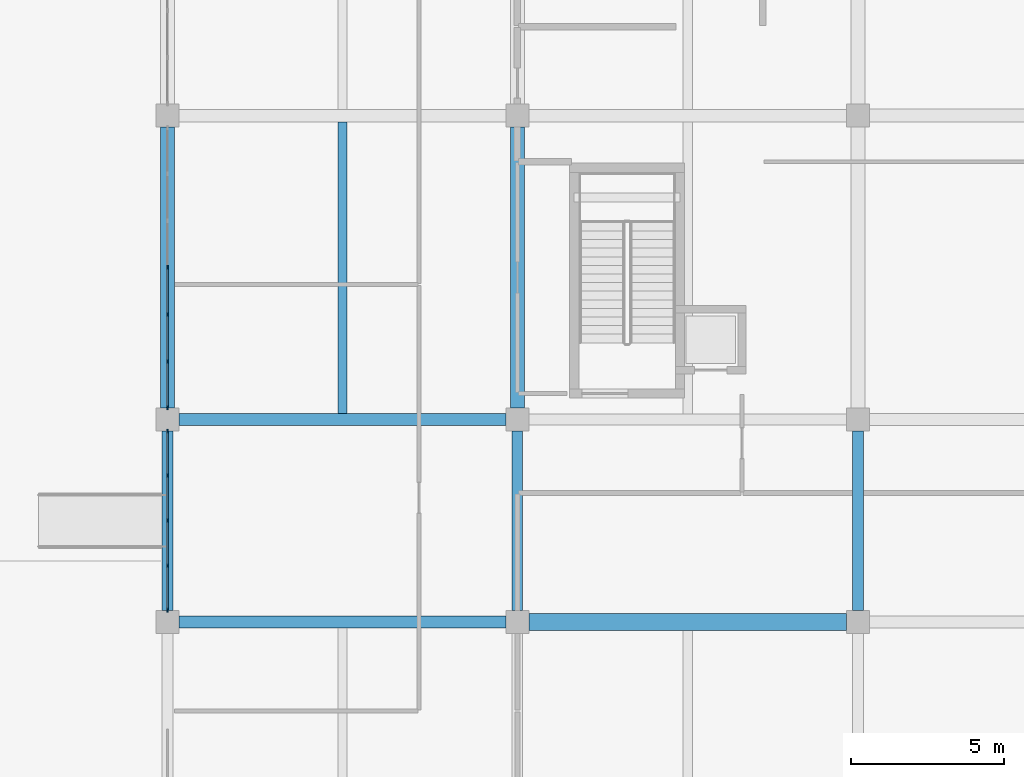
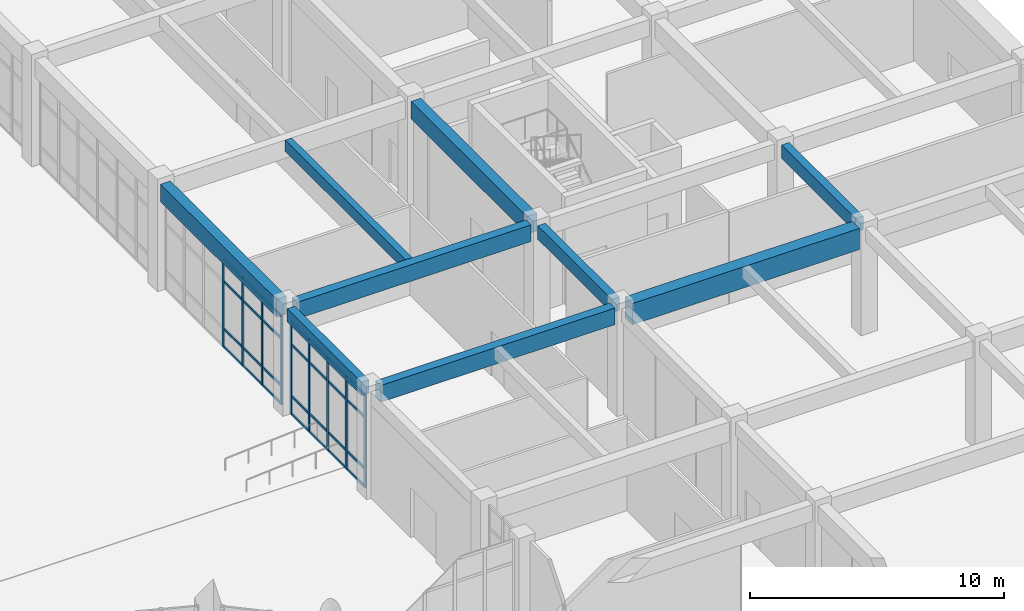
# One storey, part 28 of 70: 37 members, 9 beams, 2 elements without a shape of their own.
"""IFC4 building model written with IfcOpenShell, lengths in metres."""

from ifc_helpers import new_model, si_unit, direction, frame, origin, origin_2d, place, context, subcontext, project, spatial, rectangle, extrude, material, layer, layer_set, material_profile, profile_set, type_object, element, aggregate, save


model = new_model("IFC4")

# Units and contexts
model_context = context("Model", 3, precision=1e-05, world=origin(), true_north=direction((0.0, 1.0)))
body_context = subcontext(model_context, "Body", "Model", "MODEL_VIEW")
ifc_project = project(units=[si_unit("LENGTHUNIT", "METRE"), si_unit("AREAUNIT", "SQUARE_METRE"), si_unit("VOLUMEUNIT", "CUBIC_METRE"), si_unit("PLANEANGLEUNIT", "RADIAN"), si_unit("MASSUNIT", "GRAM", prefix="KILO")], contexts=[model_context])

# Site, building, storey
site_placement = place(None, origin())
site = spatial("IfcSite", under=ifc_project, at=site_placement, CompositionType="ELEMENT")
building_placement = place(site_placement, origin())
building = spatial("IfcBuilding", under=site, at=building_placement, Name="Miralva Faculty of Natural Sciences", CompositionType="ELEMENT")
storey_placement = place(building_placement, origin())
storey = spatial("IfcBuildingStorey", under=building, at=storey_placement, Name="L00", CompositionType="ELEMENT", Elevation=0.0)

# Beams
ifc_material_1 = material(Name="Concrete C40/50", Category="concrete")
ifc_material_profile_1 = material_profile(ifc_material_1, rectangle(XDim=0.449951171875, YDim=0.85009765625, at=origin_2d()), Name="RC 450x850")
ifc_profile_set_1 = profile_set([ifc_material_profile_1], Name="Concrete C40/50")
beam_type_1 = type_object("IfcBeamType", Name="BM-B01", PredefinedType="BEAM", material=ifc_profile_set_1)
for number, where, z_axis, x_axis, name in (
    (1, (133.800048828125, 45.97509765625, 4.695068359375), (0.0, 1.0, 0.0), (-1.0, 0.0, 0.0), "Girder NS L00-179"),
    (2, (145.199951171875, 45.97509765625, 4.695068359375), (0.0, 1.0, 0.0), (-1.0, 0.0, 0.0), "Girder NS L00-191"),
):
    element("IfcBeam", number, at=place(storey_placement, frame(where, z_axis=z_axis, x_axis=x_axis)), inside=storey, type_object=beam_type_1, Name=name, PredefinedType="BEAM", context=body_context, shape_type="SweptSolid", body=[
        extrude(rectangle(XDim=0.449951171875, YDim=0.85009765625, at=origin_2d()), origin(), (0.0, 0.0, 1.0), 9.14990234375),
    ])
ifc_material_profile_2 = material_profile(ifc_material_1, rectangle(XDim=0.39990234375, YDim=0.800048828125, at=origin_2d()), Name="RC 400x800")
ifc_profile_set_2 = profile_set([ifc_material_profile_2], Name="Concrete C40/50")
beam_type_2 = type_object("IfcBeamType", Name="BM-B02", PredefinedType="BEAM", material=ifc_profile_set_2)
for number, where, z_axis, x_axis, name in (
    (3, (134.175048828125, 39.0, 4.719970703125), (1.0, 0.0, 0.0), (0.0, 1.0, 0.0), "Girder EW L00-42"),
    (4, (134.175048828125, 45.60009765625, 4.719970703125), (1.0, 0.0, 0.0), (0.0, 1.0, 0.0), "Girder EW L00-48"),
):
    element("IfcBeam", number, at=place(storey_placement, frame(where, z_axis=z_axis, x_axis=x_axis)), inside=storey, type_object=beam_type_2, Name=name, PredefinedType="BEAM", context=body_context, shape_type="SweptSolid", body=[
        extrude(rectangle(XDim=0.39990234375, YDim=0.800048828125, at=origin_2d()), origin(), (0.0, 0.0, 1.0), 10.64990234375),
    ])
ifc_material_profile_3 = material_profile(ifc_material_1, rectangle(XDim=0.35009765625, YDim=0.64990234375, at=origin_2d()), Name="RC 350x650")
ifc_profile_set_3 = profile_set([ifc_material_profile_3], Name="Concrete C40/50")
beam_type_3 = type_object("IfcBeamType", Name="BM-B05", PredefinedType="BEAM", material=ifc_profile_set_3)
for number, where, z_axis, x_axis, name in (
    (5, (133.800048828125, 39.375, 4.794921875), (0.0, 1.0, 0.0), (-1.0, 0.0, 0.0), "Girder NS L00-178"),
    (6, (145.199951171875, 39.375, 4.794921875), (0.0, 1.0, 0.0), (-1.0, 0.0, 0.0), "Girder NS L00-190"),
    (7, (156.300048828125, 39.375, 4.794921875), (0.0, 1.0, 0.0), (-1.0, 0.0, 0.0), "Girder NS L00-202"),
):
    element("IfcBeam", number, at=place(storey_placement, frame(where, z_axis=z_axis, x_axis=x_axis)), inside=storey, type_object=beam_type_3, Name=name, PredefinedType="BEAM", context=body_context, shape_type="SweptSolid", body=[
        extrude(rectangle(XDim=0.35009765625, YDim=0.64990234375, at=origin_2d()), origin(), (0.0, 0.0, 1.0), 5.85009765625),
    ])
ifc_material_profile_4 = material_profile(ifc_material_1, rectangle(XDim=0.56005859375, YDim=1.02001953125, at=origin_2d()), Name="RC 560x1020")
ifc_profile_set_4 = profile_set([ifc_material_profile_4], Name="Concrete C40/50")
beam_type_4 = type_object("IfcBeamType", Name="BM-BG22", PredefinedType="BEAM", material=ifc_profile_set_4)
beam_1_placement = place(storey_placement, frame((145.574951171875, 39.0, 4.610107421875), z_axis=(1.0, 0.0, 0.0), x_axis=(0.0, 1.0, 0.0)))
element("IfcBeam", 8, at=beam_1_placement, inside=storey, type_object=beam_type_4, Name="Girder EW L00-43", PredefinedType="BEAM", context=body_context, shape_type="SweptSolid", body=[
    extrude(rectangle(XDim=0.56005859375, YDim=1.02001953125, at=origin_2d()), origin(), (0.0, 0.0, 1.0), 10.35009765625),
])
ifc_material_profile_5 = material_profile(ifc_material_1, rectangle(XDim=0.300048828125, YDim=0.550048828125, at=origin_2d()), Name="RC 300x550")
ifc_profile_set_5 = profile_set([ifc_material_profile_5], Name="Concrete C40/50")
beam_type_5 = type_object("IfcBeamType", Name="BM-J02", PredefinedType="JOIST", material=ifc_profile_set_5)
beam_2_placement = place(storey_placement, frame((139.5, 45.800048828125, 4.844970703125), z_axis=(0.0, 1.0, 0.0), x_axis=(-1.0, 0.0, 0.0)))
element("IfcBeam", 9, at=beam_2_placement, inside=storey, type_object=beam_type_5, Name="Floor joist L00-14", PredefinedType="JOIST", context=body_context, shape_type="SweptSolid", body=[
    extrude(rectangle(XDim=0.300048828125, YDim=0.550048828125, at=origin_2d()), origin(), (0.0, 0.0, 1.0), 9.5),
])

# Curtain wall, members
ifc_material_2 = material(Name="Laminated solar-control glass", Category="glass")
ifc_layer = layer(ifc_material_2, 0.179931640625, Name="CW-COM-L00")
ifc_layer_set = layer_set([ifc_layer], Name="Laminated solar-control glass")
curtain_wall_type = type_object("IfcCurtainWallType", Name="CW-COM-L00", PredefinedType="USERDEFINED", material=ifc_layer_set)
curtain_wall_1_placement = place(storey_placement, origin())
curtain_wall_1 = element("IfcCurtainWall", 10, at=curtain_wall_1_placement, inside=storey, type_object=curtain_wall_type, Name="Curtain wall CW-09 L00-257", ObjectType="UNITISED CURTAIN WALL", PredefinedType="USERDEFINED")
ifc_material_3 = material(Name="Anodised aluminium", Category="aluminium")
ifc_material_profile_6 = material_profile(ifc_material_3, rectangle(XDim=0.06005859375, YDim=0.139892578125, at=origin_2d()), Name="MULLION 60x140")
ifc_profile_set_6 = profile_set([ifc_material_profile_6], Name="Anodised aluminium")
member_type_1 = type_object("IfcMemberType", Name="CW-M03", PredefinedType="MULLION", material=ifc_profile_set_6)
member_1_placement = place(storey_placement, frame((133.800048828125, 39.39501953125, 0.0), z_axis=(0.0, 0.0, 1.0), x_axis=(-1.0, 0.0, 0.0)))
member_1 = element("IfcMember", 11, at=member_1_placement, type_object=member_type_1, Name="CW-09 mullion 1", PredefinedType="MULLION", context=body_context, shape_type="SweptSolid", body=[
    extrude(rectangle(XDim=0.06005859375, YDim=0.139892578125, at=origin_2d()), origin(), (0.0, 0.0, 1.0), 4.465087890625),
])
member_2_placement = place(storey_placement, frame((133.800048828125, 40.8349609375, 0.0), z_axis=(0.0, 0.0, 1.0), x_axis=(-1.0, 0.0, 0.0)))
member_2 = element("IfcMember", 12, at=member_2_placement, type_object=member_type_1, Name="CW-09 mullion 2", PredefinedType="MULLION", context=body_context, shape_type="SweptSolid", body=[
    extrude(rectangle(XDim=0.06005859375, YDim=0.139892578125, at=origin_2d()), origin(), (0.0, 0.0, 1.0), 4.465087890625),
])
member_3_placement = place(storey_placement, frame((133.800048828125, 42.304931640625, 0.0), z_axis=(0.0, 0.0, 1.0), x_axis=(-1.0, 0.0, 0.0)))
member_3 = element("IfcMember", 13, at=member_3_placement, type_object=member_type_1, Name="CW-09 mullion 3", PredefinedType="MULLION", context=body_context, shape_type="SweptSolid", body=[
    extrude(rectangle(XDim=0.06005859375, YDim=0.139892578125, at=origin_2d()), origin(), (0.0, 0.0, 1.0), 4.465087890625),
])
member_4_placement = place(storey_placement, frame((133.800048828125, 43.77490234375, 0.0), z_axis=(0.0, 0.0, 1.0), x_axis=(-1.0, 0.0, 0.0)))
member_4 = element("IfcMember", 14, at=member_4_placement, type_object=member_type_1, Name="CW-09 mullion 4", PredefinedType="MULLION", context=body_context, shape_type="SweptSolid", body=[
    extrude(rectangle(XDim=0.06005859375, YDim=0.139892578125, at=origin_2d()), origin(), (0.0, 0.0, 1.0), 4.465087890625),
])
member_5_placement = place(storey_placement, frame((133.800048828125, 45.215087890625, 0.0), z_axis=(0.0, 0.0, 1.0), x_axis=(-1.0, 0.0, 0.0)))
member_5 = element("IfcMember", 15, at=member_5_placement, type_object=member_type_1, Name="CW-09 mullion 5", PredefinedType="MULLION", context=body_context, shape_type="SweptSolid", body=[
    extrude(rectangle(XDim=0.06005859375, YDim=0.139892578125, at=origin_2d()), origin(), (0.0, 0.0, 1.0), 4.465087890625),
])

curtain_wall_2_placement = place(storey_placement, origin())
curtain_wall_2 = element("IfcCurtainWall", 16, at=curtain_wall_2_placement, inside=storey, type_object=curtain_wall_type, Name="Curtain wall CW-09 L00-258", ObjectType="UNITISED CURTAIN WALL", PredefinedType="USERDEFINED")
member_6_placement = place(storey_placement, frame((133.800048828125, 45.9951171875, 0.0), z_axis=(0.0, 0.0, 1.0), x_axis=(-1.0, 0.0, 0.0)))
member_6 = element("IfcMember", 17, at=member_6_placement, type_object=member_type_1, Name="CW-09 mullion 1", PredefinedType="MULLION", context=body_context, shape_type="SweptSolid", body=[
    extrude(rectangle(XDim=0.06005859375, YDim=0.139892578125, at=origin_2d()), origin(), (0.0, 0.0, 1.0), 4.264892578125),
])
member_7_placement = place(storey_placement, frame((133.800048828125, 47.493408203125, 0.0), z_axis=(0.0, 0.0, 1.0), x_axis=(-1.0, 0.0, 0.0)))
member_7 = element("IfcMember", 18, at=member_7_placement, type_object=member_type_1, Name="CW-09 mullion 2", PredefinedType="MULLION", context=body_context, shape_type="SweptSolid", body=[
    extrude(rectangle(XDim=0.06005859375, YDim=0.139892578125, at=origin_2d()), origin(), (0.0, 0.0, 1.0), 4.264892578125),
])
member_8_placement = place(storey_placement, frame((133.800048828125, 49.021728515625, 0.0), z_axis=(0.0, 0.0, 1.0), x_axis=(-1.0, 0.0, 0.0)))
member_8 = element("IfcMember", 19, at=member_8_placement, type_object=member_type_1, Name="CW-09 mullion 3", PredefinedType="MULLION", context=body_context, shape_type="SweptSolid", body=[
    extrude(rectangle(XDim=0.06005859375, YDim=0.139892578125, at=origin_2d()), origin(), (0.0, 0.0, 1.0), 4.264892578125),
])
member_9_placement = place(storey_placement, frame((133.800048828125, 50.550048828125, 0.0), z_axis=(0.0, 0.0, 1.0), x_axis=(-1.0, 0.0, 0.0)))
member_9 = element("IfcMember", 20, at=member_9_placement, type_object=member_type_1, Name="CW-09 mullion 4", PredefinedType="MULLION", context=body_context, shape_type="SweptSolid", body=[
    extrude(rectangle(XDim=0.06005859375, YDim=0.139892578125, at=origin_2d()), origin(), (0.0, 0.0, 1.0), 4.264892578125),
])

# Member
ifc_material_profile_7 = material_profile(ifc_material_3, rectangle(XDim=0.06005859375, YDim=0.1201171875, at=origin_2d()), Name="TRANSOM 60x120")
ifc_profile_set_7 = profile_set([ifc_material_profile_7], Name="Anodised aluminium")
member_type_2 = type_object("IfcMemberType", Name="CW-T02", PredefinedType="USERDEFINED", material=ifc_profile_set_7)
member_10_placement = place(storey_placement, frame((133.800048828125, 39.425048828125, 0.030029296875), z_axis=(0.0, 1.0, 0.0), x_axis=(-1.0, 0.0, 0.0)))
member_10 = element("IfcMember", 21, at=member_10_placement, type_object=member_type_2, Name="CW-09 transom 1.1", ObjectType="TRANSOM", PredefinedType="USERDEFINED", context=body_context, shape_type="SweptSolid", body=[
    extrude(rectangle(XDim=0.06005859375, YDim=0.1201171875, at=origin_2d()), origin(), (0.0, 0.0, 1.0), 1.3798828125),
])

member_11_placement = place(storey_placement, frame((133.800048828125, 39.425048828125, 0.89990234375), z_axis=(0.0, 1.0, 0.0), x_axis=(-1.0, 0.0, 0.0)))
member_11 = element("IfcMember", 22, at=member_11_placement, type_object=member_type_2, Name="CW-09 transom 1.2", ObjectType="TRANSOM", PredefinedType="USERDEFINED", context=body_context, shape_type="SweptSolid", body=[
    extrude(rectangle(XDim=0.06005859375, YDim=0.1201171875, at=origin_2d()), origin(), (0.0, 0.0, 1.0), 1.3798828125),
])

member_12_placement = place(storey_placement, frame((133.800048828125, 39.425048828125, 3.364990234375), z_axis=(0.0, 1.0, 0.0), x_axis=(-1.0, 0.0, 0.0)))
member_12 = element("IfcMember", 23, at=member_12_placement, type_object=member_type_2, Name="CW-09 transom 1.3", ObjectType="TRANSOM", PredefinedType="USERDEFINED", context=body_context, shape_type="SweptSolid", body=[
    extrude(rectangle(XDim=0.06005859375, YDim=0.1201171875, at=origin_2d()), origin(), (0.0, 0.0, 1.0), 1.3798828125),
])

member_13_placement = place(storey_placement, frame((133.800048828125, 39.425048828125, 4.43505859375), z_axis=(0.0, 1.0, 0.0), x_axis=(-1.0, 0.0, 0.0)))
member_13 = element("IfcMember", 24, at=member_13_placement, type_object=member_type_2, Name="CW-09 transom 1.4", ObjectType="TRANSOM", PredefinedType="USERDEFINED", context=body_context, shape_type="SweptSolid", body=[
    extrude(rectangle(XDim=0.06005859375, YDim=0.1201171875, at=origin_2d()), origin(), (0.0, 0.0, 1.0), 1.3798828125),
])

member_14_placement = place(storey_placement, frame((133.800048828125, 40.864990234375, 0.030029296875), z_axis=(0.0, 1.0, 0.0), x_axis=(-1.0, 0.0, 0.0)))
member_14 = element("IfcMember", 25, at=member_14_placement, type_object=member_type_2, Name="CW-09 transom 2.1", ObjectType="TRANSOM", PredefinedType="USERDEFINED", context=body_context, shape_type="SweptSolid", body=[
    extrude(rectangle(XDim=0.06005859375, YDim=0.1201171875, at=origin_2d()), origin(), (0.0, 0.0, 1.0), 1.409912109375),
])

member_15_placement = place(storey_placement, frame((133.800048828125, 40.864990234375, 0.89990234375), z_axis=(0.0, 1.0, 0.0), x_axis=(-1.0, 0.0, 0.0)))
member_15 = element("IfcMember", 26, at=member_15_placement, type_object=member_type_2, Name="CW-09 transom 2.2", ObjectType="TRANSOM", PredefinedType="USERDEFINED", context=body_context, shape_type="SweptSolid", body=[
    extrude(rectangle(XDim=0.06005859375, YDim=0.1201171875, at=origin_2d()), origin(), (0.0, 0.0, 1.0), 1.409912109375),
])

member_16_placement = place(storey_placement, frame((133.800048828125, 40.864990234375, 3.364990234375), z_axis=(0.0, 1.0, 0.0), x_axis=(-1.0, 0.0, 0.0)))
member_16 = element("IfcMember", 27, at=member_16_placement, type_object=member_type_2, Name="CW-09 transom 2.3", ObjectType="TRANSOM", PredefinedType="USERDEFINED", context=body_context, shape_type="SweptSolid", body=[
    extrude(rectangle(XDim=0.06005859375, YDim=0.1201171875, at=origin_2d()), origin(), (0.0, 0.0, 1.0), 1.409912109375),
])

member_17_placement = place(storey_placement, frame((133.800048828125, 40.864990234375, 4.43505859375), z_axis=(0.0, 1.0, 0.0), x_axis=(-1.0, 0.0, 0.0)))
member_17 = element("IfcMember", 28, at=member_17_placement, type_object=member_type_2, Name="CW-09 transom 2.4", ObjectType="TRANSOM", PredefinedType="USERDEFINED", context=body_context, shape_type="SweptSolid", body=[
    extrude(rectangle(XDim=0.06005859375, YDim=0.1201171875, at=origin_2d()), origin(), (0.0, 0.0, 1.0), 1.409912109375),
])

member_18_placement = place(storey_placement, frame((133.800048828125, 42.3349609375, 0.030029296875), z_axis=(0.0, 1.0, 0.0), x_axis=(-1.0, 0.0, 0.0)))
member_18 = element("IfcMember", 29, at=member_18_placement, type_object=member_type_2, Name="CW-09 transom 3.1", ObjectType="TRANSOM", PredefinedType="USERDEFINED", context=body_context, shape_type="SweptSolid", body=[
    extrude(rectangle(XDim=0.06005859375, YDim=0.1201171875, at=origin_2d()), origin(), (0.0, 0.0, 1.0), 1.41015625),
])

member_19_placement = place(storey_placement, frame((133.800048828125, 42.3349609375, 0.89990234375), z_axis=(0.0, 1.0, 0.0), x_axis=(-1.0, 0.0, 0.0)))
member_19 = element("IfcMember", 30, at=member_19_placement, type_object=member_type_2, Name="CW-09 transom 3.2", ObjectType="TRANSOM", PredefinedType="USERDEFINED", context=body_context, shape_type="SweptSolid", body=[
    extrude(rectangle(XDim=0.06005859375, YDim=0.1201171875, at=origin_2d()), origin(), (0.0, 0.0, 1.0), 1.41015625),
])

member_20_placement = place(storey_placement, frame((133.800048828125, 42.3349609375, 3.364990234375), z_axis=(0.0, 1.0, 0.0), x_axis=(-1.0, 0.0, 0.0)))
member_20 = element("IfcMember", 31, at=member_20_placement, type_object=member_type_2, Name="CW-09 transom 3.3", ObjectType="TRANSOM", PredefinedType="USERDEFINED", context=body_context, shape_type="SweptSolid", body=[
    extrude(rectangle(XDim=0.06005859375, YDim=0.1201171875, at=origin_2d()), origin(), (0.0, 0.0, 1.0), 1.41015625),
])

member_21_placement = place(storey_placement, frame((133.800048828125, 42.3349609375, 4.43505859375), z_axis=(0.0, 1.0, 0.0), x_axis=(-1.0, 0.0, 0.0)))
member_21 = element("IfcMember", 32, at=member_21_placement, type_object=member_type_2, Name="CW-09 transom 3.4", ObjectType="TRANSOM", PredefinedType="USERDEFINED", context=body_context, shape_type="SweptSolid", body=[
    extrude(rectangle(XDim=0.06005859375, YDim=0.1201171875, at=origin_2d()), origin(), (0.0, 0.0, 1.0), 1.41015625),
])

member_22_placement = place(storey_placement, frame((133.800048828125, 43.804931640625, 0.030029296875), z_axis=(0.0, 1.0, 0.0), x_axis=(-1.0, 0.0, 0.0)))
member_22 = element("IfcMember", 33, at=member_22_placement, type_object=member_type_2, Name="CW-09 transom 4.1", ObjectType="TRANSOM", PredefinedType="USERDEFINED", context=body_context, shape_type="SweptSolid", body=[
    extrude(rectangle(XDim=0.06005859375, YDim=0.1201171875, at=origin_2d()), origin(), (0.0, 0.0, 1.0), 1.380126953125),
])

member_23_placement = place(storey_placement, frame((133.800048828125, 43.804931640625, 0.89990234375), z_axis=(0.0, 1.0, 0.0), x_axis=(-1.0, 0.0, 0.0)))
member_23 = element("IfcMember", 34, at=member_23_placement, type_object=member_type_2, Name="CW-09 transom 4.2", ObjectType="TRANSOM", PredefinedType="USERDEFINED", context=body_context, shape_type="SweptSolid", body=[
    extrude(rectangle(XDim=0.06005859375, YDim=0.1201171875, at=origin_2d()), origin(), (0.0, 0.0, 1.0), 1.380126953125),
])

member_24_placement = place(storey_placement, frame((133.800048828125, 43.804931640625, 3.364990234375), z_axis=(0.0, 1.0, 0.0), x_axis=(-1.0, 0.0, 0.0)))
member_24 = element("IfcMember", 35, at=member_24_placement, type_object=member_type_2, Name="CW-09 transom 4.3", ObjectType="TRANSOM", PredefinedType="USERDEFINED", context=body_context, shape_type="SweptSolid", body=[
    extrude(rectangle(XDim=0.06005859375, YDim=0.1201171875, at=origin_2d()), origin(), (0.0, 0.0, 1.0), 1.380126953125),
])

member_25_placement = place(storey_placement, frame((133.800048828125, 43.804931640625, 4.43505859375), z_axis=(0.0, 1.0, 0.0), x_axis=(-1.0, 0.0, 0.0)))
member_25 = element("IfcMember", 36, at=member_25_placement, type_object=member_type_2, Name="CW-09 transom 4.4", ObjectType="TRANSOM", PredefinedType="USERDEFINED", context=body_context, shape_type="SweptSolid", body=[
    extrude(rectangle(XDim=0.06005859375, YDim=0.1201171875, at=origin_2d()), origin(), (0.0, 0.0, 1.0), 1.380126953125),
])

aggregate(curtain_wall_1, [member_1, member_2, member_3, member_4, member_5, member_10, member_11, member_12, member_13, member_14, member_15, member_16, member_17, member_18, member_19, member_20, member_21, member_22, member_23, member_24, member_25])

member_26_placement = place(storey_placement, frame((133.800048828125, 46.02490234375, 0.030029296875), z_axis=(0.0, 1.0, 0.0), x_axis=(-1.0, 0.0, 0.0)))
member_26 = element("IfcMember", 37, at=member_26_placement, type_object=member_type_2, Name="CW-09 transom 1.1", ObjectType="TRANSOM", PredefinedType="USERDEFINED", context=body_context, shape_type="SweptSolid", body=[
    extrude(rectangle(XDim=0.06005859375, YDim=0.1201171875, at=origin_2d()), origin(), (0.0, 0.0, 1.0), 1.4384765625),
])

member_27_placement = place(storey_placement, frame((133.800048828125, 46.02490234375, 0.89990234375), z_axis=(0.0, 1.0, 0.0), x_axis=(-1.0, 0.0, 0.0)))
member_27 = element("IfcMember", 38, at=member_27_placement, type_object=member_type_2, Name="CW-09 transom 1.2", ObjectType="TRANSOM", PredefinedType="USERDEFINED", context=body_context, shape_type="SweptSolid", body=[
    extrude(rectangle(XDim=0.06005859375, YDim=0.1201171875, at=origin_2d()), origin(), (0.0, 0.0, 1.0), 1.4384765625),
])

member_28_placement = place(storey_placement, frame((133.800048828125, 46.02490234375, 3.1650390625), z_axis=(0.0, 1.0, 0.0), x_axis=(-1.0, 0.0, 0.0)))
member_28 = element("IfcMember", 39, at=member_28_placement, type_object=member_type_2, Name="CW-09 transom 1.3", ObjectType="TRANSOM", PredefinedType="USERDEFINED", context=body_context, shape_type="SweptSolid", body=[
    extrude(rectangle(XDim=0.06005859375, YDim=0.1201171875, at=origin_2d()), origin(), (0.0, 0.0, 1.0), 1.4384765625),
])

member_29_placement = place(storey_placement, frame((133.800048828125, 46.02490234375, 4.235107421875), z_axis=(0.0, 1.0, 0.0), x_axis=(-1.0, 0.0, 0.0)))
member_29 = element("IfcMember", 40, at=member_29_placement, type_object=member_type_2, Name="CW-09 transom 1.4", ObjectType="TRANSOM", PredefinedType="USERDEFINED", context=body_context, shape_type="SweptSolid", body=[
    extrude(rectangle(XDim=0.06005859375, YDim=0.1201171875, at=origin_2d()), origin(), (0.0, 0.0, 1.0), 1.4384765625),
])

member_30_placement = place(storey_placement, frame((133.800048828125, 47.5234375, 0.030029296875), z_axis=(0.0, 1.0, 0.0), x_axis=(-1.0, 0.0, 0.0)))
member_30 = element("IfcMember", 41, at=member_30_placement, type_object=member_type_2, Name="CW-09 transom 2.1", ObjectType="TRANSOM", PredefinedType="USERDEFINED", context=body_context, shape_type="SweptSolid", body=[
    extrude(rectangle(XDim=0.06005859375, YDim=0.1201171875, at=origin_2d()), origin(), (0.0, 0.0, 1.0), 1.46826171875),
])

member_31_placement = place(storey_placement, frame((133.800048828125, 47.5234375, 0.89990234375), z_axis=(0.0, 1.0, 0.0), x_axis=(-1.0, 0.0, 0.0)))
member_31 = element("IfcMember", 42, at=member_31_placement, type_object=member_type_2, Name="CW-09 transom 2.2", ObjectType="TRANSOM", PredefinedType="USERDEFINED", context=body_context, shape_type="SweptSolid", body=[
    extrude(rectangle(XDim=0.06005859375, YDim=0.1201171875, at=origin_2d()), origin(), (0.0, 0.0, 1.0), 1.46826171875),
])

member_32_placement = place(storey_placement, frame((133.800048828125, 47.5234375, 3.1650390625), z_axis=(0.0, 1.0, 0.0), x_axis=(-1.0, 0.0, 0.0)))
member_32 = element("IfcMember", 43, at=member_32_placement, type_object=member_type_2, Name="CW-09 transom 2.3", ObjectType="TRANSOM", PredefinedType="USERDEFINED", context=body_context, shape_type="SweptSolid", body=[
    extrude(rectangle(XDim=0.06005859375, YDim=0.1201171875, at=origin_2d()), origin(), (0.0, 0.0, 1.0), 1.46826171875),
])

member_33_placement = place(storey_placement, frame((133.800048828125, 47.5234375, 4.235107421875), z_axis=(0.0, 1.0, 0.0), x_axis=(-1.0, 0.0, 0.0)))
member_33 = element("IfcMember", 44, at=member_33_placement, type_object=member_type_2, Name="CW-09 transom 2.4", ObjectType="TRANSOM", PredefinedType="USERDEFINED", context=body_context, shape_type="SweptSolid", body=[
    extrude(rectangle(XDim=0.06005859375, YDim=0.1201171875, at=origin_2d()), origin(), (0.0, 0.0, 1.0), 1.46826171875),
])

member_34_placement = place(storey_placement, frame((133.800048828125, 49.0517578125, 0.030029296875), z_axis=(0.0, 1.0, 0.0), x_axis=(-1.0, 0.0, 0.0)))
member_34 = element("IfcMember", 45, at=member_34_placement, type_object=member_type_2, Name="CW-09 transom 3.1", ObjectType="TRANSOM", PredefinedType="USERDEFINED", context=body_context, shape_type="SweptSolid", body=[
    extrude(rectangle(XDim=0.06005859375, YDim=0.1201171875, at=origin_2d()), origin(), (0.0, 0.0, 1.0), 1.46826171875),
])

member_35_placement = place(storey_placement, frame((133.800048828125, 49.0517578125, 0.89990234375), z_axis=(0.0, 1.0, 0.0), x_axis=(-1.0, 0.0, 0.0)))
member_35 = element("IfcMember", 46, at=member_35_placement, type_object=member_type_2, Name="CW-09 transom 3.2", ObjectType="TRANSOM", PredefinedType="USERDEFINED", context=body_context, shape_type="SweptSolid", body=[
    extrude(rectangle(XDim=0.06005859375, YDim=0.1201171875, at=origin_2d()), origin(), (0.0, 0.0, 1.0), 1.46826171875),
])

member_36_placement = place(storey_placement, frame((133.800048828125, 49.0517578125, 3.1650390625), z_axis=(0.0, 1.0, 0.0), x_axis=(-1.0, 0.0, 0.0)))
member_36 = element("IfcMember", 47, at=member_36_placement, type_object=member_type_2, Name="CW-09 transom 3.3", ObjectType="TRANSOM", PredefinedType="USERDEFINED", context=body_context, shape_type="SweptSolid", body=[
    extrude(rectangle(XDim=0.06005859375, YDim=0.1201171875, at=origin_2d()), origin(), (0.0, 0.0, 1.0), 1.46826171875),
])

member_37_placement = place(storey_placement, frame((133.800048828125, 49.0517578125, 4.235107421875), z_axis=(0.0, 1.0, 0.0), x_axis=(-1.0, 0.0, 0.0)))
member_37 = element("IfcMember", 48, at=member_37_placement, type_object=member_type_2, Name="CW-09 transom 3.4", ObjectType="TRANSOM", PredefinedType="USERDEFINED", context=body_context, shape_type="SweptSolid", body=[
    extrude(rectangle(XDim=0.06005859375, YDim=0.1201171875, at=origin_2d()), origin(), (0.0, 0.0, 1.0), 1.46826171875),
])

aggregate(curtain_wall_2, [member_6, member_7, member_8, member_9, member_26, member_27, member_28, member_29, member_30, member_31, member_32, member_33, member_34, member_35, member_36, member_37])

save(model, "model.ifc")
